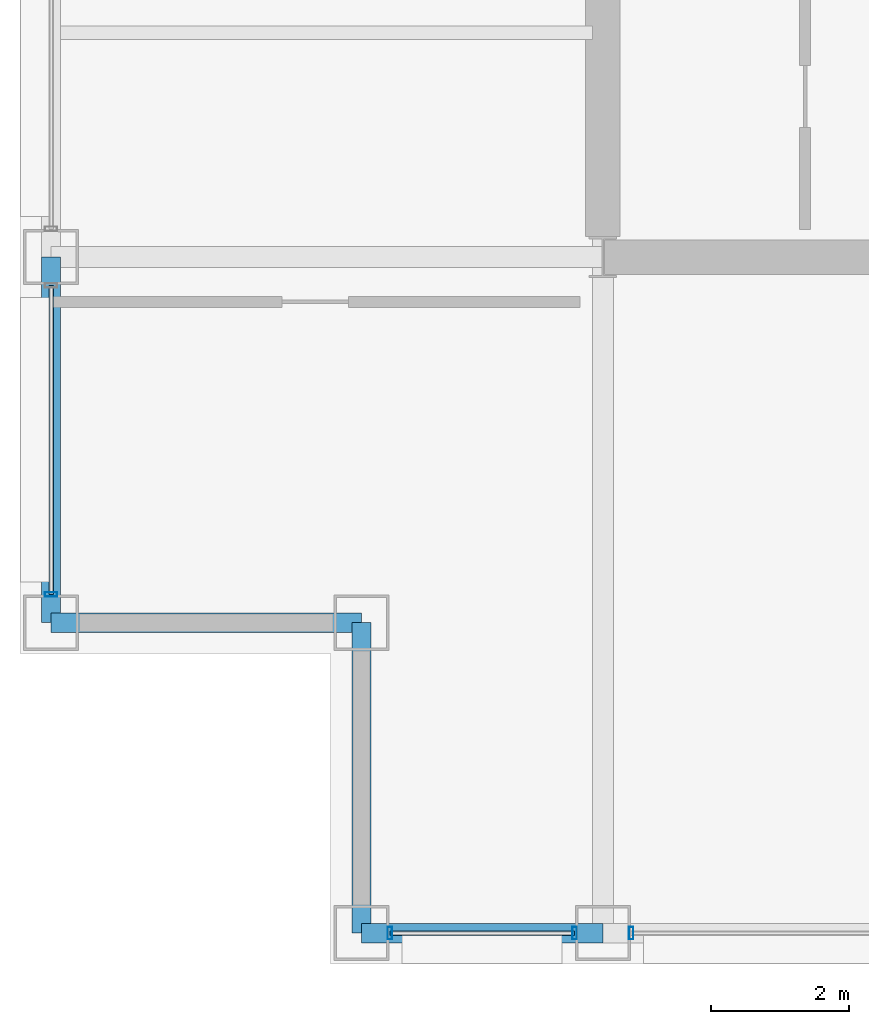
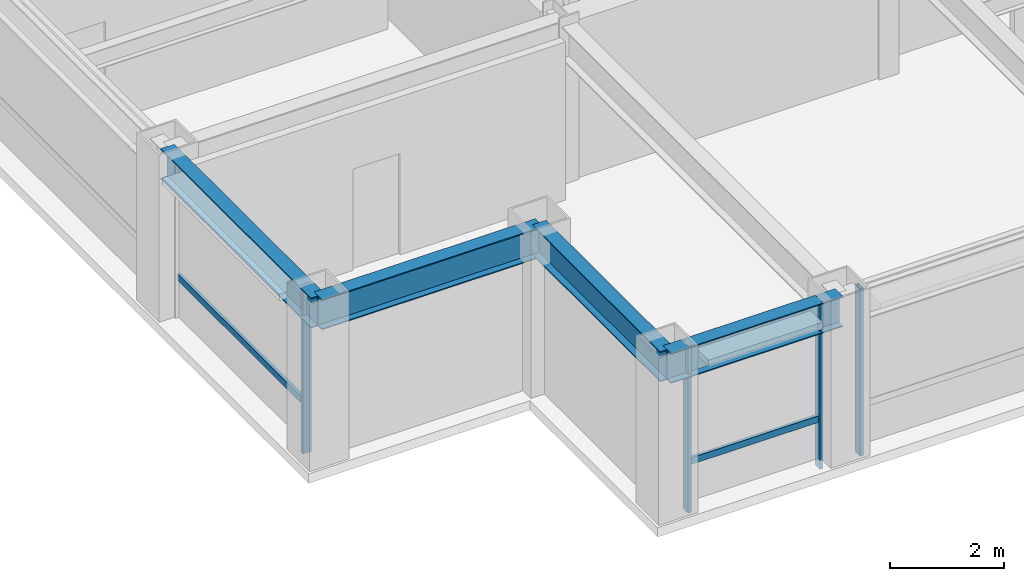
# One storey, part 2 of 28: 6 members, 4 beams, 3 elements without a shape of their own.
"""IFC4 building model written with IfcOpenShell, lengths in metres."""

from ifc_helpers import new_model, si_unit, direction, frame, origin, origin_2d, place, context, subcontext, project, spatial, hollow_rectangle, i_section, extrude, material, layer, layer_set, material_profile, profile_set, type_object, element, aggregate, save


model = new_model("IFC4")

# Units and contexts
model_context = context("Model", 3, precision=1e-05, world=origin(), true_north=direction((0.0, 1.0)))
body_context = subcontext(model_context, "Body", "Model", "MODEL_VIEW")
ifc_project = project(units=[si_unit("LENGTHUNIT", "METRE"), si_unit("AREAUNIT", "SQUARE_METRE"), si_unit("VOLUMEUNIT", "CUBIC_METRE"), si_unit("PLANEANGLEUNIT", "RADIAN"), si_unit("MASSUNIT", "GRAM", prefix="KILO")], contexts=[model_context])

# Site, building, storey
site_placement = place(None, origin())
site = spatial("IfcSite", under=ifc_project, at=site_placement, CompositionType="ELEMENT")
building_placement = place(site_placement, origin())
building = spatial("IfcBuilding", under=site, at=building_placement, Name="Brelmoor Portico Tower", CompositionType="ELEMENT")
storey_placement = place(building_placement, frame((0.0, 0.0, 142.199951171875)))
storey = spatial("IfcBuildingStorey", under=building, at=storey_placement, Name="L37", CompositionType="ELEMENT", Elevation=142.199951171875)

# Beams
ifc_material_1 = material(Name="Steel Q355B", Category="steel")
ifc_material_profile_1 = material_profile(ifc_material_1, i_section(OverallWidth=0.280029296875, OverallDepth=0.64990234375, WebThickness=0.012939453125, FlangeThickness=0.02197265625, at=origin_2d()), Name="HN 650x280x13x22")
ifc_profile_set_1 = profile_set([ifc_material_profile_1], Name="Steel Q355B")
beam_type = type_object("IfcBeamType", Name="BM-SP-650", PredefinedType="SPANDREL", material=ifc_profile_set_1)
beam_1_placement = place(storey_placement, frame((-18.050048828125, -19.550048828125, 3.074951171875), z_axis=(1.0, 0.0, 0.0), x_axis=(0.0, 1.0, 0.0)))
element("IfcBeam", 1, at=beam_1_placement, inside=storey, type_object=beam_type, Name="L37 Perimeter Spandrel Beam SP-01", PredefinedType="SPANDREL", context=body_context, shape_type="SweptSolid", body=[
    extrude(i_section(OverallWidth=0.280029296875, OverallDepth=0.64990234375, WebThickness=0.012939453125, FlangeThickness=0.02197265625, at=origin_2d()), origin(), (0.0, 0.0, 1.0), 3.5),
])
beam_2_placement = place(storey_placement, frame((-22.550048828125, -15.050048828125, 3.074951171875), z_axis=(1.0, 0.0, 0.0), x_axis=(0.0, 1.0, 0.0)))
element("IfcBeam", 2, at=beam_2_placement, inside=storey, type_object=beam_type, Name="L37 Perimeter Spandrel Beam SP-06", PredefinedType="SPANDREL", context=body_context, shape_type="SweptSolid", body=[
    extrude(i_section(OverallWidth=0.280029296875, OverallDepth=0.64990234375, WebThickness=0.012939453125, FlangeThickness=0.02197265625, at=origin_2d()), origin(), (0.0, 0.0, 1.0), 4.5),
])
beam_3_placement = place(storey_placement, frame((-22.550048828125, -15.050048828125, 3.074951171875), z_axis=(0.0, 1.0, 0.0), x_axis=(-1.0, 0.0, 0.0)))
element("IfcBeam", 3, at=beam_3_placement, inside=storey, type_object=beam_type, Name="L37 Perimeter Spandrel Beam SP-15", PredefinedType="SPANDREL", context=body_context, shape_type="SweptSolid", body=[
    extrude(i_section(OverallWidth=0.280029296875, OverallDepth=0.64990234375, WebThickness=0.012939453125, FlangeThickness=0.02197265625, at=origin_2d()), origin(), (0.0, 0.0, 1.0), 5.300048828125),
])
beam_4_placement = place(storey_placement, frame((-18.050048828125, -19.550048828125, 3.074951171875), z_axis=(0.0, 1.0, 0.0), x_axis=(-1.0, 0.0, 0.0)))
element("IfcBeam", 4, at=beam_4_placement, inside=storey, type_object=beam_type, Name="L37 Perimeter Spandrel Beam SP-18", PredefinedType="SPANDREL", context=body_context, shape_type="SweptSolid", body=[
    extrude(i_section(OverallWidth=0.280029296875, OverallDepth=0.64990234375, WebThickness=0.012939453125, FlangeThickness=0.02197265625, at=origin_2d()), origin(), (0.0, 0.0, 1.0), 4.5),
])

# Curtain wall, members
ifc_material_2 = material(Name="Anodised Aluminium Alloy 6063-T6", Category="aluminium")
ifc_layer = layer(ifc_material_2, 0.179931640625)
ifc_layer_set = layer_set([ifc_layer], Name="Anodised Aluminium Alloy 6063-T6")
curtain_wall_type = type_object("IfcCurtainWallType", Name="CW-TOWER-Z2", PredefinedType="NOTDEFINED", material=ifc_layer_set)
curtain_wall_1_placement = place(storey_placement, origin())
curtain_wall_1 = element("IfcCurtainWall", 5, at=curtain_wall_1_placement, inside=storey, type_object=curtain_wall_type, Name="L37 Curtain Wall CW-L37-01-1", PredefinedType="NOTDEFINED")
ifc_material_profile_2 = material_profile(ifc_material_2, hollow_rectangle(XDim=0.06494140625, YDim=0.179931640625, WallThickness=0.00390625, at=origin_2d()), Name="ALU MULLION 65x180")
ifc_profile_set_2 = profile_set([ifc_material_profile_2], Name="Anodised Aluminium Alloy 6063-T6")
member_type_1 = type_object("IfcMemberType", Name="MB-CW-MULL-180", PredefinedType="MULLION", material=ifc_profile_set_2)
member_1_placement = place(storey_placement, frame((-17.639892578125, -19.550048828125, -0.199951171875), z_axis=(0.0, 0.0, 1.0), x_axis=(1.0, 0.0, 0.0)))
member_1 = element("IfcMember", 6, at=member_1_placement, type_object=member_type_1, Name="CW-L37-01-1 Mullion 00", PredefinedType="MULLION", context=body_context, shape_type="SweptSolid", body=[
    extrude(hollow_rectangle(XDim=0.06494140625, YDim=0.179931640625, WallThickness=0.00390625, at=origin_2d()), origin(), (0.0, 0.0, 1.0), 3.60009765625),
])
member_2_placement = place(storey_placement, frame((-14.9599609375, -19.550048828125, -0.199951171875), z_axis=(0.0, 0.0, 1.0), x_axis=(1.0, 0.0, 0.0)))
member_2 = element("IfcMember", 7, at=member_2_placement, type_object=member_type_1, Name="CW-L37-01-1 Mullion 01", PredefinedType="MULLION", context=body_context, shape_type="SweptSolid", body=[
    extrude(hollow_rectangle(XDim=0.06494140625, YDim=0.179931640625, WallThickness=0.00390625, at=origin_2d()), origin(), (0.0, 0.0, 1.0), 3.60009765625),
])

# Curtain wall, member
curtain_wall_2_placement = place(storey_placement, origin())
curtain_wall_2 = element("IfcCurtainWall", 8, at=curtain_wall_2_placement, inside=storey, type_object=curtain_wall_type, Name="L37 Curtain Wall CW-L37-01-2", PredefinedType="NOTDEFINED")
member_3_placement = place(storey_placement, frame((-14.139892578125, -19.550048828125, -0.199951171875), z_axis=(0.0, 0.0, 1.0), x_axis=(1.0, 0.0, 0.0)))
member_3 = element("IfcMember", 9, at=member_3_placement, type_object=member_type_1, Name="CW-L37-01-2 Mullion 00", PredefinedType="MULLION", context=body_context, shape_type="SweptSolid", body=[
    extrude(hollow_rectangle(XDim=0.06494140625, YDim=0.179931640625, WallThickness=0.00390625, at=origin_2d()), origin(), (0.0, 0.0, 1.0), 3.60009765625),
])
aggregate(curtain_wall_2, [member_3])

curtain_wall_3_placement = place(storey_placement, origin())
curtain_wall_3 = element("IfcCurtainWall", 10, at=curtain_wall_3_placement, inside=storey, type_object=curtain_wall_type, Name="L37 Curtain Wall CW-L37-03-1", PredefinedType="NOTDEFINED")
member_4_placement = place(storey_placement, frame((-22.550048828125, -14.639892578125, -0.199951171875), z_axis=(0.0, 0.0, 1.0), x_axis=(0.0, 1.0, 0.0)))
member_4 = element("IfcMember", 11, at=member_4_placement, type_object=member_type_1, Name="CW-L37-03-1 Mullion 00", PredefinedType="MULLION", context=body_context, shape_type="SweptSolid", body=[
    extrude(hollow_rectangle(XDim=0.06494140625, YDim=0.179931640625, WallThickness=0.00390625, at=origin_2d()), origin(), (0.0, 0.0, 1.0), 3.60009765625),
])

# Member
ifc_material_profile_3 = material_profile(ifc_material_2, hollow_rectangle(XDim=0.06494140625, YDim=0.139892578125, WallThickness=0.00390625, at=origin_2d()), Name="ALU TRANSOM 65x140")
ifc_profile_set_3 = profile_set([ifc_material_profile_3], Name="Anodised Aluminium Alloy 6063-T6")
member_type_2 = type_object("IfcMemberType", Name="MB-CW-TRAN-140", PredefinedType="USERDEFINED", material=ifc_profile_set_3)
member_5_placement = place(storey_placement, frame((-17.639892578125, -19.550048828125, 0.85009765625), z_axis=(1.0, 0.0, 0.0), x_axis=(0.0, 1.0, 0.0)))
member_5 = element("IfcMember", 12, at=member_5_placement, type_object=member_type_2, Name="CW-L37-01-1 Transom 1-00", ObjectType="TRANSOM", PredefinedType="USERDEFINED", context=body_context, shape_type="SweptSolid", body=[
    extrude(hollow_rectangle(XDim=0.06494140625, YDim=0.139892578125, WallThickness=0.00390625, at=origin_2d()), origin(), (0.0, 0.0, 1.0), 2.679931640625),
])

aggregate(curtain_wall_1, [member_1, member_2, member_5])

member_6_placement = place(storey_placement, frame((-22.550048828125, -14.639892578125, 0.85009765625), z_axis=(0.0, 1.0, 0.0), x_axis=(-1.0, 0.0, 0.0)))
member_6 = element("IfcMember", 13, at=member_6_placement, type_object=member_type_2, Name="CW-L37-03-1 Transom 1-00", ObjectType="TRANSOM", PredefinedType="USERDEFINED", context=body_context, shape_type="SweptSolid", body=[
    extrude(hollow_rectangle(XDim=0.06494140625, YDim=0.139892578125, WallThickness=0.00390625, at=origin_2d()), origin(), (0.0, 0.0, 1.0), 4.47998046875),
])

aggregate(curtain_wall_3, [member_4, member_6])

save(model, "model.ifc")
